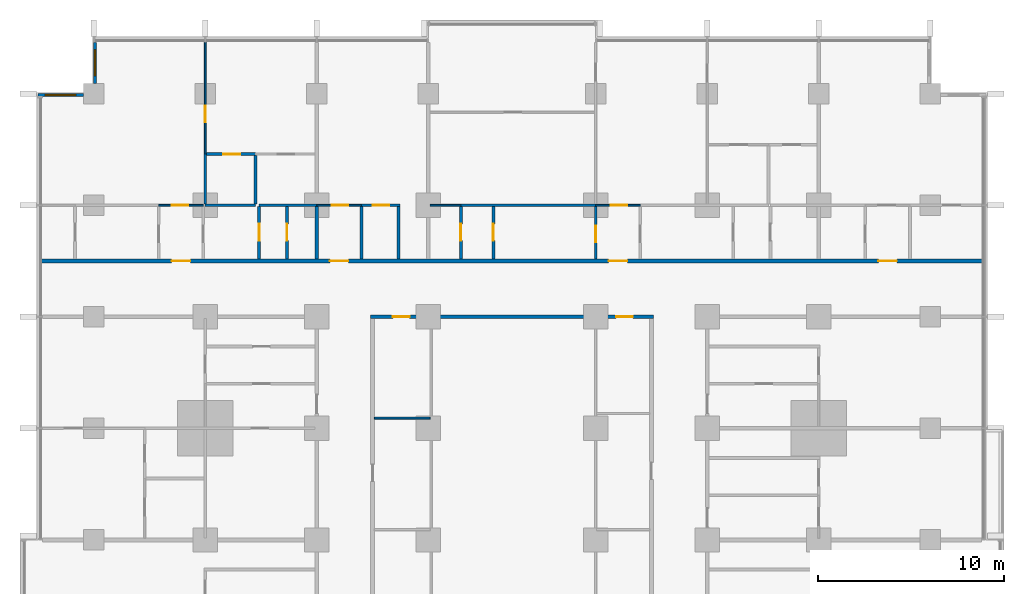
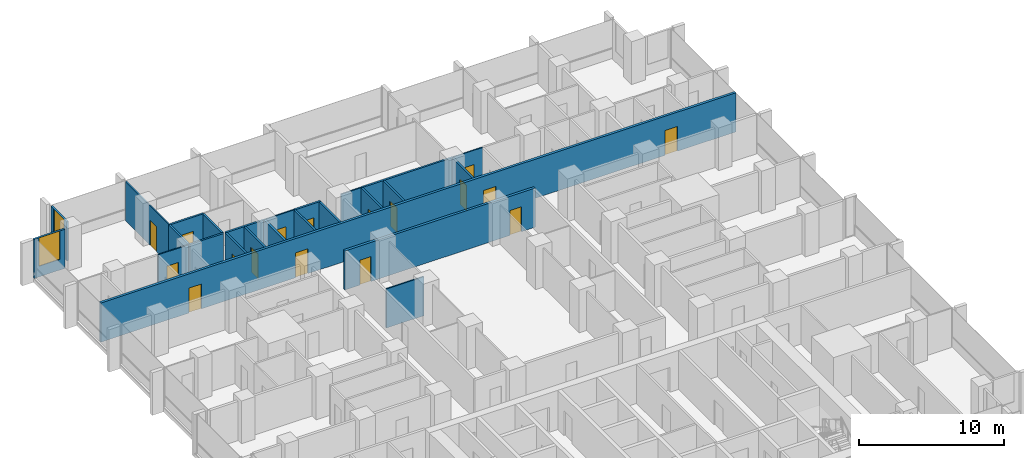
# One storey, part 11 of 18: 25 walls, 17 doors, 2 windows, 19 openings.
"""IFC4 building model written with IfcOpenShell, lengths in metres."""

from ifc_helpers import new_model, si_unit, direction, frame, frame_2d, origin, place, context, subcontext, project, spatial, rectangle, extrude, material, layer, layer_set, type_object, element, fill, save


model = new_model("IFC4")

# Units and contexts
model_context = context("Model", 3, precision=1e-05, world=origin(), true_north=direction((0.0, 1.0)))
body_context = subcontext(model_context, "Body", "Model", "MODEL_VIEW")
ifc_project = project(units=[si_unit("LENGTHUNIT", "METRE"), si_unit("AREAUNIT", "SQUARE_METRE"), si_unit("VOLUMEUNIT", "CUBIC_METRE"), si_unit("PLANEANGLEUNIT", "RADIAN"), si_unit("MASSUNIT", "GRAM", prefix="KILO")], contexts=[model_context])

# Site, building, storey
site_placement = place(None, origin())
site = spatial("IfcSite", under=ifc_project, at=site_placement, CompositionType="ELEMENT")
building_placement = place(site_placement, origin())
building = spatial("IfcBuilding", under=site, at=building_placement, Name="Finial Court Residences", CompositionType="ELEMENT")
storey_placement = place(building_placement, frame((0.0, 0.0, 43.300048828125)))
storey = spatial("IfcBuildingStorey", under=building, at=storey_placement, Name="L09", CompositionType="ELEMENT", Elevation=43.300048828125)

# Wall
ifc_material_1 = material(Name="Gypsum board")
ifc_layer_1 = layer(ifc_material_1, 0.02490234375)
ifc_material_2 = material(Name="Acoustic mineral wool in double frame")
ifc_layer_2 = layer(ifc_material_2, 0.14990234375)
ifc_layer_3 = layer(ifc_material_1, 0.02490234375)
ifc_layer_set_1 = layer_set([ifc_layer_1, ifc_layer_2, ifc_layer_3], Name="Acoustic party wall 200, 1 hour")
wall_type_1 = type_object("IfcWallType", Name="Acoustic party wall 200, 1 hour", PredefinedType="PARTITIONING", material=ifc_layer_set_1)
wall_1_placement = place(storey_placement, frame((-10.5, 16.60009765625, 0.0), z_axis=(0.0, 0.0, 1.0), x_axis=(0.0, 1.0, 0.0)))
element("IfcWall", 1, at=wall_1_placement, inside=storey, type_object=wall_type_1, Name="Partition L09-077", PredefinedType="PARTITIONING", context=body_context, shape_type="SweptSolid", body=[
    extrude(rectangle(XDim=2.824951171875, YDim=0.199951171875, at=frame_2d((1.41259765625, 0.0))), origin(), (0.0, 0.0, 1.0), 3.300048828125),
])

# Wall, openings, doors
ifc_layer_4 = layer(ifc_material_1, 0.02490234375)
ifc_layer_5 = layer(ifc_material_2, 0.14990234375)
ifc_layer_6 = layer(ifc_material_1, 0.02490234375)
ifc_layer_set_2 = layer_set([ifc_layer_4, ifc_layer_5, ifc_layer_6], Name="Corridor wall 200, 1 hour")
wall_type_2 = type_object("IfcWallType", Name="Corridor wall 200, 1 hour", PredefinedType="PARTITIONING", material=ifc_layer_set_2)
wall_2_placement = place(storey_placement, frame((-7.60009765625, 13.5, 0.0), z_axis=(0.0, 0.0, 1.0), x_axis=(1.0, 0.0, 0.0)))
wall_2 = element("IfcWall", 2, at=wall_2_placement, inside=storey, type_object=wall_type_2, Name="Partition L09-033", PredefinedType="PARTITIONING", context=body_context, shape_type="SweptSolid", body=[
    extrude(rectangle(XDim=15.2001953125, YDim=0.199951171875, at=frame_2d((7.60009765625, 0.0))), origin(), (0.0, 0.0, 1.0), 3.300048828125),
])
opening_1_placement = place(wall_2_placement, frame((1.199951171875, 0.0, 0.0)))
opening_1 = element("IfcOpeningElement", 3, at=opening_1_placement, cuts=wall_2, Name="Opening L09-D017", PredefinedType="OPENING", context=body_context, shape_type="SweptSolid", body=[
    extrude(rectangle(XDim=0.89990234375, YDim=2.10009765625, at=frame_2d((0.449951171875, 1.050048828125))), frame((0.0, 0.10986328125, 0.0), z_axis=(0.0, -1.0, 0.0), x_axis=(1.0, 0.0, 0.0)), (0.0, 0.0, 1.0), 0.219970703125),
])
opening_2_placement = place(wall_2_placement, frame((13.199951171875, 0.0, 0.0)))
opening_2 = element("IfcOpeningElement", 4, at=opening_2_placement, cuts=wall_2, Name="Opening L09-D018", PredefinedType="OPENING", context=body_context, shape_type="SweptSolid", body=[
    extrude(rectangle(XDim=0.89990234375, YDim=2.10009765625, at=frame_2d((0.449951171875, 1.050048828125))), frame((0.0, 0.10986328125, 0.0), z_axis=(0.0, -1.0, 0.0), x_axis=(1.0, 0.0, 0.0)), (0.0, 0.0, 1.0), 0.219970703125),
])
ifc_material_3 = material(Name="Timber door leaf in hollow metal frame", Category="wood")
door_type_1 = type_object("IfcDoorType", Name="Fire door set 900 x 2100, 30 minutes", OperationType="SINGLE_SWING_LEFT", PredefinedType="DOOR", material=ifc_material_3)
door_1_placement = place(opening_1_placement, origin())
door_1 = element("IfcDoor", 5, at=door_1_placement, inside=storey, type_object=door_type_1, Name="Door L09-D017", OperationType="SINGLE_SWING_LEFT", OverallHeight=2.10009765625, OverallWidth=0.89990234375, PredefinedType="DOOR", context=body_context, shape_type="SweptSolid", body=[
    extrude(rectangle(XDim=0.89990234375, YDim=2.10009765625, at=frame_2d((0.449951171875, 1.050048828125))), frame((0.0, 0.02490234375, 0.0), z_axis=(0.0, -1.0, 0.0), x_axis=(1.0, 0.0, 0.0)), (0.0, 0.0, 1.0), 0.050048828125),
])
fill(opening_1, door_1)
door_2_placement = place(opening_2_placement, origin())
door_2 = element("IfcDoor", 6, at=door_2_placement, inside=storey, type_object=door_type_1, Name="Door L09-D018", OperationType="SINGLE_SWING_RIGHT", OverallHeight=2.10009765625, OverallWidth=0.89990234375, PredefinedType="DOOR", context=body_context, shape_type="SweptSolid", body=[
    extrude(rectangle(XDim=0.89990234375, YDim=2.10009765625, at=frame_2d((0.449951171875, 1.050048828125))), frame((0.0, 0.02490234375, 0.0), z_axis=(0.0, -1.0, 0.0), x_axis=(1.0, 0.0, 0.0)), (0.0, 0.0, 1.0), 0.050048828125),
])
fill(opening_2, door_2)

wall_3_placement = place(storey_placement, frame((-25.35009765625, 16.5, 0.0), z_axis=(0.0, 0.0, 1.0), x_axis=(1.0, 0.0, 0.0)))
wall_3 = element("IfcWall", 7, at=wall_3_placement, inside=storey, type_object=wall_type_2, Name="Partition L09-035", PredefinedType="PARTITIONING", context=body_context, shape_type="SweptSolid", body=[
    extrude(rectangle(XDim=50.7001953125, YDim=0.199951171875, at=frame_2d((25.35009765625, 0.0))), origin(), (0.0, 0.0, 1.0), 3.300048828125),
])
opening_3_placement = place(wall_3_placement, frame((7.050048828125, 0.0, 0.0)))
opening_3 = element("IfcOpeningElement", 8, at=opening_3_placement, cuts=wall_3, Name="Opening L09-D019", PredefinedType="OPENING", context=body_context, shape_type="SweptSolid", body=[
    extrude(rectangle(XDim=1.0, YDim=2.10009765625, at=frame_2d((0.5, 1.050048828125))), frame((0.0, 0.10986328125, 0.0), z_axis=(0.0, -1.0, 0.0), x_axis=(1.0, 0.0, 0.0)), (0.0, 0.0, 1.0), 0.219970703125),
])
opening_4_placement = place(wall_3_placement, frame((15.550048828125, 0.0, 0.0)))
opening_4 = element("IfcOpeningElement", 9, at=opening_4_placement, cuts=wall_3, Name="Opening L09-D020", PredefinedType="OPENING", context=body_context, shape_type="SweptSolid", body=[
    extrude(rectangle(XDim=1.0, YDim=2.10009765625, at=frame_2d((0.5, 1.050048828125))), frame((0.0, 0.10986328125, 0.0), z_axis=(0.0, -1.0, 0.0), x_axis=(1.0, 0.0, 0.0)), (0.0, 0.0, 1.0), 0.219970703125),
])
opening_5_placement = place(wall_3_placement, frame((30.550048828125, 0.0, 0.0)))
opening_5 = element("IfcOpeningElement", 10, at=opening_5_placement, cuts=wall_3, Name="Opening L09-D021", PredefinedType="OPENING", context=body_context, shape_type="SweptSolid", body=[
    extrude(rectangle(XDim=1.0, YDim=2.10009765625, at=frame_2d((0.5, 1.050048828125))), frame((0.0, 0.10986328125, 0.0), z_axis=(0.0, -1.0, 0.0), x_axis=(1.0, 0.0, 0.0)), (0.0, 0.0, 1.0), 0.219970703125),
])
opening_6_placement = place(wall_3_placement, frame((45.050048828125, 0.0, 0.0)))
opening_6 = element("IfcOpeningElement", 11, at=opening_6_placement, cuts=wall_3, Name="Opening L09-D022", PredefinedType="OPENING", context=body_context, shape_type="SweptSolid", body=[
    extrude(rectangle(XDim=1.0, YDim=2.10009765625, at=frame_2d((0.5, 1.050048828125))), frame((0.0, 0.10986328125, 0.0), z_axis=(0.0, -1.0, 0.0), x_axis=(1.0, 0.0, 0.0)), (0.0, 0.0, 1.0), 0.219970703125),
])
door_type_2 = type_object("IfcDoorType", Name="Fire door set 1000 x 2100, 30 minutes", OperationType="SINGLE_SWING_LEFT", PredefinedType="DOOR", material=ifc_material_3)
door_3_placement = place(opening_3_placement, origin())
door_3 = element("IfcDoor", 12, at=door_3_placement, inside=storey, type_object=door_type_2, Name="Door L09-D019", OperationType="SINGLE_SWING_RIGHT", OverallHeight=2.10009765625, OverallWidth=1.0, PredefinedType="DOOR", context=body_context, shape_type="SweptSolid", body=[
    extrude(rectangle(XDim=1.0, YDim=2.10009765625, at=frame_2d((0.5, 1.050048828125))), frame((0.0, 0.02490234375, 0.0), z_axis=(0.0, -1.0, 0.0), x_axis=(1.0, 0.0, 0.0)), (0.0, 0.0, 1.0), 0.050048828125),
])
fill(opening_3, door_3)
door_4_placement = place(opening_4_placement, origin())
door_4 = element("IfcDoor", 13, at=door_4_placement, inside=storey, type_object=door_type_2, Name="Door L09-D020", OperationType="SINGLE_SWING_RIGHT", OverallHeight=2.10009765625, OverallWidth=1.0, PredefinedType="DOOR", context=body_context, shape_type="SweptSolid", body=[
    extrude(rectangle(XDim=1.0, YDim=2.10009765625, at=frame_2d((0.5, 1.050048828125))), frame((0.0, 0.02490234375, 0.0), z_axis=(0.0, -1.0, 0.0), x_axis=(1.0, 0.0, 0.0)), (0.0, 0.0, 1.0), 0.050048828125),
])
fill(opening_4, door_4)
door_5_placement = place(opening_5_placement, origin())
door_5 = element("IfcDoor", 14, at=door_5_placement, inside=storey, type_object=door_type_2, Name="Door L09-D021", OperationType="SINGLE_SWING_LEFT", OverallHeight=2.10009765625, OverallWidth=1.0, PredefinedType="DOOR", context=body_context, shape_type="SweptSolid", body=[
    extrude(rectangle(XDim=1.0, YDim=2.10009765625, at=frame_2d((0.5, 1.050048828125))), frame((0.0, 0.02490234375, 0.0), z_axis=(0.0, -1.0, 0.0), x_axis=(1.0, 0.0, 0.0)), (0.0, 0.0, 1.0), 0.050048828125),
])
fill(opening_5, door_5)
door_6_placement = place(opening_6_placement, origin())
door_6 = element("IfcDoor", 15, at=door_6_placement, inside=storey, type_object=door_type_2, Name="Door L09-D022", OperationType="SINGLE_SWING_LEFT", OverallHeight=2.10009765625, OverallWidth=1.0, PredefinedType="DOOR", context=body_context, shape_type="SweptSolid", body=[
    extrude(rectangle(XDim=1.0, YDim=2.10009765625, at=frame_2d((0.5, 1.050048828125))), frame((0.0, 0.02490234375, 0.0), z_axis=(0.0, -1.0, 0.0), x_axis=(1.0, 0.0, 0.0)), (0.0, 0.0, 1.0), 0.050048828125),
])
fill(opening_6, door_6)

# Wall
ifc_layer_7 = layer(ifc_material_1, 0.012451171875)
ifc_material_4 = material(Name="Mineral wool in light-gauge frame")
ifc_layer_8 = layer(ifc_material_4, 0.074951171875)
ifc_layer_9 = layer(ifc_material_1, 0.012451171875)
ifc_layer_set_3 = layer_set([ifc_layer_7, ifc_layer_8, ifc_layer_9], Name="Gypsum board partition 100")
wall_type_3 = type_object("IfcWallType", Name="Gypsum board partition 100", PredefinedType="PARTITIONING", material=ifc_layer_set_3)
wall_4_placement = place(storey_placement, frame((-7.39990234375, 8.050048828125, 0.0), z_axis=(0.0, 0.0, 1.0), x_axis=(1.0, 0.0, 0.0)))
element("IfcWall", 16, at=wall_4_placement, inside=storey, type_object=wall_type_3, Name="Partition L09-026", PredefinedType="PARTITIONING", context=body_context, shape_type="SweptSolid", body=[
    extrude(rectangle(XDim=3.0, YDim=0.10009765625, at=frame_2d((1.5, 0.0))), origin(), (0.0, 0.0, 1.0), 3.300048828125),
])

# Wall, opening, door
wall_5_placement = place(storey_placement, frame((-19.0, 19.5, 0.0), z_axis=(0.0, 0.0, 1.0), x_axis=(1.0, 0.0, 0.0)))
wall_5 = element("IfcWall", 17, at=wall_5_placement, inside=storey, type_object=wall_type_3, Name="Partition L09-037", PredefinedType="PARTITIONING", context=body_context, shape_type="SweptSolid", body=[
    extrude(rectangle(XDim=2.39990234375, YDim=0.10009765625, at=frame_2d((1.199951171875, 0.0))), origin(), (0.0, 0.0, 1.0), 3.300048828125),
])
opening_7_placement = place(wall_5_placement, frame((0.699951171875, 0.0, 0.0)))
opening_7 = element("IfcOpeningElement", 18, at=opening_7_placement, cuts=wall_5, Name="Opening L09-D023", PredefinedType="OPENING", context=body_context, shape_type="SweptSolid", body=[
    extrude(rectangle(XDim=0.89990234375, YDim=2.10009765625, at=frame_2d((0.449951171875, 1.050048828125))), frame((0.0, 0.06005859375, 0.0), z_axis=(0.0, -1.0, 0.0), x_axis=(1.0, 0.0, 0.0)), (0.0, 0.0, 1.0), 0.1201171875),
])
ifc_material_5 = material(Name="Timber door leaf in timber frame", Category="wood")
door_type_3 = type_object("IfcDoorType", Name="Door set 900 x 2100", OperationType="SINGLE_SWING_LEFT", PredefinedType="DOOR", material=ifc_material_5)
door_7_placement = place(opening_7_placement, origin())
door_7 = element("IfcDoor", 19, at=door_7_placement, inside=storey, type_object=door_type_3, Name="Door L09-D023", OperationType="SINGLE_SWING_LEFT", OverallHeight=2.10009765625, OverallWidth=0.89990234375, PredefinedType="DOOR", context=body_context, shape_type="SweptSolid", body=[
    extrude(rectangle(XDim=0.89990234375, YDim=2.10009765625, at=frame_2d((0.449951171875, 1.050048828125))), frame((0.0, 0.02490234375, 0.0), z_axis=(0.0, -1.0, 0.0), x_axis=(1.0, 0.0, 0.0)), (0.0, 0.0, 1.0), 0.050048828125),
])
fill(opening_7, door_7)

wall_6_placement = place(storey_placement, frame((-10.5, 19.5, 0.0), z_axis=(0.0, 0.0, 1.0), x_axis=(1.0, 0.0, 0.0)))
wall_6 = element("IfcWall", 20, at=wall_6_placement, inside=storey, type_object=wall_type_3, Name="Partition L09-038", PredefinedType="PARTITIONING", context=body_context, shape_type="SweptSolid", body=[
    extrude(rectangle(XDim=2.39990234375, YDim=0.10009765625, at=frame_2d((1.199951171875, 0.0))), origin(), (0.0, 0.0, 1.0), 3.300048828125),
])
opening_8_placement = place(wall_6_placement, frame((0.800048828125, 0.0, 0.0)))
opening_8 = element("IfcOpeningElement", 21, at=opening_8_placement, cuts=wall_6, Name="Opening L09-D024", PredefinedType="OPENING", context=body_context, shape_type="SweptSolid", body=[
    extrude(rectangle(XDim=0.89990234375, YDim=2.10009765625, at=frame_2d((0.449951171875, 1.050048828125))), frame((0.0, 0.06005859375, 0.0), z_axis=(0.0, -1.0, 0.0), x_axis=(1.0, 0.0, 0.0)), (0.0, 0.0, 1.0), 0.1201171875),
])
door_8_placement = place(opening_8_placement, origin())
door_8 = element("IfcDoor", 22, at=door_8_placement, inside=storey, type_object=door_type_3, Name="Door L09-D024", OperationType="SINGLE_SWING_RIGHT", OverallHeight=2.10009765625, OverallWidth=0.89990234375, PredefinedType="DOOR", context=body_context, shape_type="SweptSolid", body=[
    extrude(rectangle(XDim=0.89990234375, YDim=2.10009765625, at=frame_2d((0.449951171875, 1.050048828125))), frame((0.0, 0.02490234375, 0.0), z_axis=(0.0, -1.0, 0.0), x_axis=(1.0, 0.0, 0.0)), (0.0, 0.0, 1.0), 0.050048828125),
])
fill(opening_8, door_8)

# Wall
wall_7_placement = place(storey_placement, frame((-4.39990234375, 19.5, 0.0), z_axis=(0.0, 0.0, 1.0), x_axis=(1.0, 0.0, 0.0)))
element("IfcWall", 23, at=wall_7_placement, inside=storey, type_object=wall_type_3, Name="Partition L09-039", PredefinedType="PARTITIONING", context=body_context, shape_type="SweptSolid", body=[
    extrude(rectangle(XDim=1.64990234375, YDim=0.10009765625, at=frame_2d((0.824951171875, 0.0))), origin(), (0.0, 0.0, 1.0), 3.300048828125),
])

# Wall, opening, door
wall_8_placement = place(storey_placement, frame((4.5, 19.5, 0.0), z_axis=(0.0, 0.0, 1.0), x_axis=(1.0, 0.0, 0.0)))
wall_8 = element("IfcWall", 24, at=wall_8_placement, inside=storey, type_object=wall_type_3, Name="Partition L09-040", PredefinedType="PARTITIONING", context=body_context, shape_type="SweptSolid", body=[
    extrude(rectangle(XDim=2.39990234375, YDim=0.10009765625, at=frame_2d((1.199951171875, 0.0))), origin(), (0.0, 0.0, 1.0), 3.300048828125),
])
opening_9_placement = place(wall_8_placement, frame((0.800048828125, 0.0, 0.0)))
opening_9 = element("IfcOpeningElement", 25, at=opening_9_placement, cuts=wall_8, Name="Opening L09-D025", PredefinedType="OPENING", context=body_context, shape_type="SweptSolid", body=[
    extrude(rectangle(XDim=0.89990234375, YDim=2.10009765625, at=frame_2d((0.449951171875, 1.050048828125))), frame((0.0, 0.06005859375, 0.0), z_axis=(0.0, -1.0, 0.0), x_axis=(1.0, 0.0, 0.0)), (0.0, 0.0, 1.0), 0.1201171875),
])
door_9_placement = place(opening_9_placement, origin())
door_9 = element("IfcDoor", 26, at=door_9_placement, inside=storey, type_object=door_type_3, Name="Door L09-D025", OperationType="SINGLE_SWING_RIGHT", OverallHeight=2.10009765625, OverallWidth=0.89990234375, PredefinedType="DOOR", context=body_context, shape_type="SweptSolid", body=[
    extrude(rectangle(XDim=0.89990234375, YDim=2.10009765625, at=frame_2d((0.449951171875, 1.050048828125))), frame((0.0, 0.02490234375, 0.0), z_axis=(0.0, -1.0, 0.0), x_axis=(1.0, 0.0, 0.0)), (0.0, 0.0, 1.0), 0.050048828125),
])
fill(opening_9, door_9)

wall_9_placement = place(storey_placement, frame((-16.5, 22.25, 0.0), z_axis=(0.0, 0.0, 1.0), x_axis=(0.0, 1.0, 0.0)))
wall_9 = element("IfcWall", 27, at=wall_9_placement, inside=storey, type_object=wall_type_3, Name="Partition L09-066", PredefinedType="PARTITIONING", context=body_context, shape_type="SweptSolid", body=[
    extrude(rectangle(XDim=6.0, YDim=0.10009765625, at=frame_2d((3.0, 0.0))), origin(), (0.0, 0.0, 1.0), 3.300048828125),
])
opening_10_placement = place(wall_9_placement, frame((1.699951171875, 0.0, 0.0)))
opening_10 = element("IfcOpeningElement", 28, at=opening_10_placement, cuts=wall_9, Name="Opening L09-D043", PredefinedType="OPENING", context=body_context, shape_type="SweptSolid", body=[
    extrude(rectangle(XDim=0.89990234375, YDim=2.10009765625, at=frame_2d((0.449951171875, 1.050048828125))), frame((0.0, 0.06005859375, 0.0), z_axis=(0.0, -1.0, 0.0), x_axis=(1.0, 0.0, 0.0)), (0.0, 0.0, 1.0), 0.1201171875),
])
door_10_placement = place(opening_10_placement, origin())
door_10 = element("IfcDoor", 29, at=door_10_placement, inside=storey, type_object=door_type_3, Name="Door L09-D043", OperationType="SINGLE_SWING_LEFT", OverallHeight=2.10009765625, OverallWidth=0.89990234375, PredefinedType="DOOR", context=body_context, shape_type="SweptSolid", body=[
    extrude(rectangle(XDim=0.89990234375, YDim=2.10009765625, at=frame_2d((0.449951171875, 1.050048828125))), frame((0.0, 0.02490234375, 0.0), z_axis=(0.0, -1.0, 0.0), x_axis=(1.0, 0.0, 0.0)), (0.0, 0.0, 1.0), 0.050048828125),
])
fill(opening_10, door_10)

# Walls
ifc_material_6 = material(Name="Moisture-resistant gypsum board")
ifc_layer_10 = layer(ifc_material_6, 0.012451171875)
ifc_layer_11 = layer(ifc_material_4, 0.125)
ifc_layer_12 = layer(ifc_material_6, 0.012451171875)
ifc_layer_set_4 = layer_set([ifc_layer_10, ifc_layer_11, ifc_layer_12], Name="Gypsum board wet-area partition 150")
wall_type_4 = type_object("IfcWallType", Name="Gypsum board wet-area partition 150", PredefinedType="PARTITIONING", material=ifc_layer_set_4)
wall_10_placement = place(storey_placement, frame((-16.5, 19.5, 0.0), z_axis=(0.0, 0.0, 1.0), x_axis=(1.0, 0.0, 0.0)))
element("IfcWall", 30, at=wall_10_placement, inside=storey, type_object=wall_type_4, Name="Partition L09-043", PredefinedType="PARTITIONING", context=body_context, shape_type="SweptSolid", body=[
    extrude(rectangle(XDim=2.699951171875, YDim=0.14990234375, at=frame_2d((1.35009765625, 0.0))), origin(), (0.0, 0.0, 1.0), 3.300048828125),
])
wall_11_placement = place(storey_placement, frame((-13.60009765625, 19.5, 0.0), z_axis=(0.0, 0.0, 1.0), x_axis=(1.0, 0.0, 0.0)))
element("IfcWall", 31, at=wall_11_placement, inside=storey, type_object=wall_type_4, Name="Partition L09-044", PredefinedType="PARTITIONING", context=body_context, shape_type="SweptSolid", body=[
    extrude(rectangle(XDim=3.10009765625, YDim=0.14990234375, at=frame_2d((1.550048828125, 0.0))), origin(), (0.0, 0.0, 1.0), 3.300048828125),
])

# Wall, opening, door
wall_12_placement = place(storey_placement, frame((-8.10009765625, 19.5, 0.0), z_axis=(0.0, 0.0, 1.0), x_axis=(1.0, 0.0, 0.0)))
wall_12 = element("IfcWall", 32, at=wall_12_placement, inside=storey, type_object=wall_type_4, Name="Partition L09-045", PredefinedType="PARTITIONING", context=body_context, shape_type="SweptSolid", body=[
    extrude(rectangle(XDim=2.0751953125, YDim=0.14990234375, at=frame_2d((1.03759765625, 0.0))), origin(), (0.0, 0.0, 1.0), 3.300048828125),
])
opening_11_placement = place(wall_12_placement, frame((0.60009765625, 0.0, 0.0)))
opening_11 = element("IfcOpeningElement", 33, at=opening_11_placement, cuts=wall_12, Name="Opening L09-D027", PredefinedType="OPENING", context=body_context, shape_type="SweptSolid", body=[
    extrude(rectangle(XDim=0.89990234375, YDim=2.10009765625, at=frame_2d((0.449951171875, 1.050048828125))), frame((0.0, 0.0849609375, 0.0), z_axis=(0.0, -1.0, 0.0), x_axis=(1.0, 0.0, 0.0)), (0.0, 0.0, 1.0), 0.169921875),
])
door_11_placement = place(opening_11_placement, origin())
door_11 = element("IfcDoor", 34, at=door_11_placement, inside=storey, type_object=door_type_3, Name="Door L09-D027", OperationType="SINGLE_SWING_RIGHT", OverallHeight=2.10009765625, OverallWidth=0.89990234375, PredefinedType="DOOR", context=body_context, shape_type="SweptSolid", body=[
    extrude(rectangle(XDim=0.89990234375, YDim=2.10009765625, at=frame_2d((0.449951171875, 1.050048828125))), frame((0.0, 0.02490234375, 0.0), z_axis=(0.0, -1.0, 0.0), x_axis=(1.0, 0.0, 0.0)), (0.0, 0.0, 1.0), 0.050048828125),
])
fill(opening_11, door_11)

# Wall
wall_13_placement = place(storey_placement, frame((-2.75, 19.5, 0.0), z_axis=(0.0, 0.0, 1.0), x_axis=(1.0, 0.0, 0.0)))
element("IfcWall", 35, at=wall_13_placement, inside=storey, type_object=wall_type_4, Name="Partition L09-046", PredefinedType="PARTITIONING", context=body_context, shape_type="SweptSolid", body=[
    extrude(rectangle(XDim=7.25, YDim=0.14990234375, at=frame_2d((3.625, 0.0))), origin(), (0.0, 0.0, 1.0), 3.300048828125),
])

# Wall, opening, door
wall_14_placement = place(storey_placement, frame((-16.425048828125, 22.25, 0.0), z_axis=(0.0, 0.0, 1.0), x_axis=(1.0, 0.0, 0.0)))
wall_14 = element("IfcWall", 36, at=wall_14_placement, inside=storey, type_object=wall_type_4, Name="Partition L09-051", PredefinedType="PARTITIONING", context=body_context, shape_type="SweptSolid", body=[
    extrude(rectangle(XDim=2.625, YDim=0.14990234375, at=frame_2d((1.3125, 0.0))), origin(), (0.0, 0.0, 1.0), 3.300048828125),
])
opening_12_placement = place(wall_14_placement, frame((0.89990234375, 0.0, 0.0)))
opening_12 = element("IfcOpeningElement", 37, at=opening_12_placement, cuts=wall_14, Name="Opening L09-D030", PredefinedType="OPENING", context=body_context, shape_type="SweptSolid", body=[
    extrude(rectangle(XDim=0.89990234375, YDim=2.10009765625, at=frame_2d((0.449951171875, 1.050048828125))), frame((0.0, 0.0849609375, 0.0), z_axis=(0.0, -1.0, 0.0), x_axis=(1.0, 0.0, 0.0)), (0.0, 0.0, 1.0), 0.169921875),
])
door_12_placement = place(opening_12_placement, origin())
door_12 = element("IfcDoor", 38, at=door_12_placement, inside=storey, type_object=door_type_3, Name="Door L09-D030", OperationType="SINGLE_SWING_LEFT", OverallHeight=2.10009765625, OverallWidth=0.89990234375, PredefinedType="DOOR", context=body_context, shape_type="SweptSolid", body=[
    extrude(rectangle(XDim=0.89990234375, YDim=2.10009765625, at=frame_2d((0.449951171875, 1.050048828125))), frame((0.0, 0.02490234375, 0.0), z_axis=(0.0, -1.0, 0.0), x_axis=(1.0, 0.0, 0.0)), (0.0, 0.0, 1.0), 0.050048828125),
])
fill(opening_12, door_12)

# Walls
wall_15_placement = place(storey_placement, frame((-16.5, 19.574951171875, 0.0), z_axis=(0.0, 0.0, 1.0), x_axis=(0.0, 1.0, 0.0)))
element("IfcWall", 39, at=wall_15_placement, inside=storey, type_object=wall_type_4, Name="Partition L09-072", PredefinedType="PARTITIONING", context=body_context, shape_type="SweptSolid", body=[
    extrude(rectangle(XDim=2.675048828125, YDim=0.14990234375, at=frame_2d((1.33740234375, 0.0))), origin(), (0.0, 0.0, 1.0), 3.300048828125),
])
wall_16_placement = place(storey_placement, frame((-13.800048828125, 19.574951171875, 0.0), z_axis=(0.0, 0.0, 1.0), x_axis=(0.0, 1.0, 0.0)))
element("IfcWall", 40, at=wall_16_placement, inside=storey, type_object=wall_type_4, Name="Partition L09-073", PredefinedType="PARTITIONING", context=body_context, shape_type="SweptSolid", body=[
    extrude(rectangle(XDim=2.60009765625, YDim=0.14990234375, at=frame_2d((1.300048828125, 0.0))), origin(), (0.0, 0.0, 1.0), 3.300048828125),
])

# Wall, opening, door
wall_17_placement = place(storey_placement, frame((-13.60009765625, 16.60009765625, 0.0), z_axis=(0.0, 0.0, 1.0), x_axis=(0.0, 1.0, 0.0)))
wall_17 = element("IfcWall", 41, at=wall_17_placement, inside=storey, type_object=wall_type_4, Name="Partition L09-074", PredefinedType="PARTITIONING", context=body_context, shape_type="SweptSolid", body=[
    extrude(rectangle(XDim=2.824951171875, YDim=0.14990234375, at=frame_2d((1.41259765625, 0.0))), origin(), (0.0, 0.0, 1.0), 3.300048828125),
])
opening_13_placement = place(wall_17_placement, frame((1.0, 0.0, 0.0)))
opening_13 = element("IfcOpeningElement", 42, at=opening_13_placement, cuts=wall_17, Name="Opening L09-D047", PredefinedType="OPENING", context=body_context, shape_type="SweptSolid", body=[
    extrude(rectangle(XDim=0.89990234375, YDim=2.10009765625, at=frame_2d((0.449951171875, 1.050048828125))), frame((0.0, 0.0849609375, 0.0), z_axis=(0.0, -1.0, 0.0), x_axis=(1.0, 0.0, 0.0)), (0.0, 0.0, 1.0), 0.169921875),
])
door_13_placement = place(opening_13_placement, origin())
door_13 = element("IfcDoor", 43, at=door_13_placement, inside=storey, type_object=door_type_3, Name="Door L09-D047", OperationType="SINGLE_SWING_RIGHT", OverallHeight=2.10009765625, OverallWidth=0.89990234375, PredefinedType="DOOR", context=body_context, shape_type="SweptSolid", body=[
    extrude(rectangle(XDim=0.89990234375, YDim=2.10009765625, at=frame_2d((0.449951171875, 1.050048828125))), frame((0.0, 0.02490234375, 0.0), z_axis=(0.0, -1.0, 0.0), x_axis=(1.0, 0.0, 0.0)), (0.0, 0.0, 1.0), 0.050048828125),
])
fill(opening_13, door_13)

wall_18_placement = place(storey_placement, frame((-12.10009765625, 16.60009765625, 0.0), z_axis=(0.0, 0.0, 1.0), x_axis=(0.0, 1.0, 0.0)))
wall_18 = element("IfcWall", 44, at=wall_18_placement, inside=storey, type_object=wall_type_4, Name="Partition L09-075", PredefinedType="PARTITIONING", context=body_context, shape_type="SweptSolid", body=[
    extrude(rectangle(XDim=2.824951171875, YDim=0.14990234375, at=frame_2d((1.41259765625, 0.0))), origin(), (0.0, 0.0, 1.0), 3.300048828125),
])
opening_14_placement = place(wall_18_placement, frame((1.0, 0.0, 0.0)))
opening_14 = element("IfcOpeningElement", 45, at=opening_14_placement, cuts=wall_18, Name="Opening L09-D048", PredefinedType="OPENING", context=body_context, shape_type="SweptSolid", body=[
    extrude(rectangle(XDim=0.89990234375, YDim=2.10009765625, at=frame_2d((0.449951171875, 1.050048828125))), frame((0.0, 0.0849609375, 0.0), z_axis=(0.0, -1.0, 0.0), x_axis=(1.0, 0.0, 0.0)), (0.0, 0.0, 1.0), 0.169921875),
])
door_14_placement = place(opening_14_placement, origin())
door_14 = element("IfcDoor", 46, at=door_14_placement, inside=storey, type_object=door_type_3, Name="Door L09-D048", OperationType="SINGLE_SWING_RIGHT", OverallHeight=2.10009765625, OverallWidth=0.89990234375, PredefinedType="DOOR", context=body_context, shape_type="SweptSolid", body=[
    extrude(rectangle(XDim=0.89990234375, YDim=2.10009765625, at=frame_2d((0.449951171875, 1.050048828125))), frame((0.0, 0.02490234375, 0.0), z_axis=(0.0, -1.0, 0.0), x_axis=(1.0, 0.0, 0.0)), (0.0, 0.0, 1.0), 0.050048828125),
])
fill(opening_14, door_14)

# Walls
for number, where, z_axis, x_axis, name in (
    (47, (-8.10009765625, 16.60009765625, 0.0), (0.0, 0.0, 1.0), (0.0, 1.0, 0.0), "Partition L09-079"),
    (48, (-6.10009765625, 16.60009765625, 0.0), (0.0, 0.0, 1.0), (0.0, 1.0, 0.0), "Partition L09-081"),
):
    element("IfcWall", number, at=place(storey_placement, frame(where, z_axis=z_axis, x_axis=x_axis)), inside=storey, type_object=wall_type_4, Name=name, PredefinedType="PARTITIONING", context=body_context, shape_type="SweptSolid", body=[
        extrude(rectangle(XDim=2.824951171875, YDim=0.14990234375, at=frame_2d((1.41259765625, 0.0))), origin(), (0.0, 0.0, 1.0), 3.300048828125),
    ])

# Wall, opening, door
wall_19_placement = place(storey_placement, frame((-2.75, 16.60009765625, 0.0), z_axis=(0.0, 0.0, 1.0), x_axis=(0.0, 1.0, 0.0)))
wall_19 = element("IfcWall", 49, at=wall_19_placement, inside=storey, type_object=wall_type_4, Name="Partition L09-084", PredefinedType="PARTITIONING", context=body_context, shape_type="SweptSolid", body=[
    extrude(rectangle(XDim=2.824951171875, YDim=0.14990234375, at=frame_2d((1.41259765625, 0.0))), origin(), (0.0, 0.0, 1.0), 3.300048828125),
])
opening_15_placement = place(wall_19_placement, frame((1.0, 0.0, 0.0)))
opening_15 = element("IfcOpeningElement", 50, at=opening_15_placement, cuts=wall_19, Name="Opening L09-D051", PredefinedType="OPENING", context=body_context, shape_type="SweptSolid", body=[
    extrude(rectangle(XDim=0.89990234375, YDim=2.10009765625, at=frame_2d((0.449951171875, 1.050048828125))), frame((0.0, 0.0849609375, 0.0), z_axis=(0.0, -1.0, 0.0), x_axis=(1.0, 0.0, 0.0)), (0.0, 0.0, 1.0), 0.169921875),
])
door_15_placement = place(opening_15_placement, origin())
door_15 = element("IfcDoor", 51, at=door_15_placement, inside=storey, type_object=door_type_3, Name="Door L09-D051", OperationType="SINGLE_SWING_RIGHT", OverallHeight=2.10009765625, OverallWidth=0.89990234375, PredefinedType="DOOR", context=body_context, shape_type="SweptSolid", body=[
    extrude(rectangle(XDim=0.89990234375, YDim=2.10009765625, at=frame_2d((0.449951171875, 1.050048828125))), frame((0.0, 0.02490234375, 0.0), z_axis=(0.0, -1.0, 0.0), x_axis=(1.0, 0.0, 0.0)), (0.0, 0.0, 1.0), 0.050048828125),
])
fill(opening_15, door_15)

wall_20_placement = place(storey_placement, frame((-1.0, 16.60009765625, 0.0), z_axis=(0.0, 0.0, 1.0), x_axis=(0.0, 1.0, 0.0)))
wall_20 = element("IfcWall", 52, at=wall_20_placement, inside=storey, type_object=wall_type_4, Name="Partition L09-085", PredefinedType="PARTITIONING", context=body_context, shape_type="SweptSolid", body=[
    extrude(rectangle(XDim=2.824951171875, YDim=0.14990234375, at=frame_2d((1.41259765625, 0.0))), origin(), (0.0, 0.0, 1.0), 3.300048828125),
])
opening_16_placement = place(wall_20_placement, frame((1.0, 0.0, 0.0)))
opening_16 = element("IfcOpeningElement", 53, at=opening_16_placement, cuts=wall_20, Name="Opening L09-D052", PredefinedType="OPENING", context=body_context, shape_type="SweptSolid", body=[
    extrude(rectangle(XDim=0.89990234375, YDim=2.10009765625, at=frame_2d((0.449951171875, 1.050048828125))), frame((0.0, 0.0849609375, 0.0), z_axis=(0.0, -1.0, 0.0), x_axis=(1.0, 0.0, 0.0)), (0.0, 0.0, 1.0), 0.169921875),
])
door_16_placement = place(opening_16_placement, origin())
door_16 = element("IfcDoor", 54, at=door_16_placement, inside=storey, type_object=door_type_3, Name="Door L09-D052", OperationType="SINGLE_SWING_LEFT", OverallHeight=2.10009765625, OverallWidth=0.89990234375, PredefinedType="DOOR", context=body_context, shape_type="SweptSolid", body=[
    extrude(rectangle(XDim=0.89990234375, YDim=2.10009765625, at=frame_2d((0.449951171875, 1.050048828125))), frame((0.0, 0.02490234375, 0.0), z_axis=(0.0, -1.0, 0.0), x_axis=(1.0, 0.0, 0.0)), (0.0, 0.0, 1.0), 0.050048828125),
])
fill(opening_16, door_16)

wall_21_placement = place(storey_placement, frame((4.5, 16.60009765625, 0.0), z_axis=(0.0, 0.0, 1.0), x_axis=(0.0, 1.0, 0.0)))
wall_21 = element("IfcWall", 55, at=wall_21_placement, inside=storey, type_object=wall_type_4, Name="Partition L09-088", PredefinedType="PARTITIONING", context=body_context, shape_type="SweptSolid", body=[
    extrude(rectangle(XDim=2.824951171875, YDim=0.14990234375, at=frame_2d((1.41259765625, 0.0))), origin(), (0.0, 0.0, 1.0), 3.300048828125),
])
opening_17_placement = place(wall_21_placement, frame((0.89990234375, 0.0, 0.0)))
opening_17 = element("IfcOpeningElement", 56, at=opening_17_placement, cuts=wall_21, Name="Opening L09-D054", PredefinedType="OPENING", context=body_context, shape_type="SweptSolid", body=[
    extrude(rectangle(XDim=0.89990234375, YDim=2.10009765625, at=frame_2d((0.449951171875, 1.050048828125))), frame((0.0, 0.0849609375, 0.0), z_axis=(0.0, -1.0, 0.0), x_axis=(1.0, 0.0, 0.0)), (0.0, 0.0, 1.0), 0.169921875),
])
door_17_placement = place(opening_17_placement, origin())
door_17 = element("IfcDoor", 57, at=door_17_placement, inside=storey, type_object=door_type_3, Name="Door L09-D054", OperationType="SINGLE_SWING_RIGHT", OverallHeight=2.10009765625, OverallWidth=0.89990234375, PredefinedType="DOOR", context=body_context, shape_type="SweptSolid", body=[
    extrude(rectangle(XDim=0.89990234375, YDim=2.10009765625, at=frame_2d((0.449951171875, 1.050048828125))), frame((0.0, 0.02490234375, 0.0), z_axis=(0.0, -1.0, 0.0), x_axis=(1.0, 0.0, 0.0)), (0.0, 0.0, 1.0), 0.050048828125),
])
fill(opening_17, door_17)

# Wall, opening, window
ifc_material_7 = material(Name="Natural limestone", Category="masonry")
ifc_layer_13 = layer(ifc_material_7, 0.14990234375)
ifc_layer_set_5 = layer_set([ifc_layer_13], Name="Limestone clad wall 150")
wall_type_5 = type_object("IfcWallType", Name="Limestone clad wall 150", PredefinedType="SOLIDWALL", material=ifc_layer_set_5)
wall_22_placement = place(storey_placement, frame((-22.425048828125, 26.050048828125, 0.0), z_axis=(0.0, 0.0, 1.0), x_axis=(0.0, 1.0, 0.0)))
wall_22 = element("IfcWall", 58, at=wall_22_placement, inside=storey, type_object=wall_type_5, Name="E-L09-NWW16", PredefinedType="SOLIDWALL", context=body_context, shape_type="SweptSolid", body=[
    extrude(rectangle(XDim=2.199951171875, YDim=0.14990234375, at=frame_2d((1.10009765625, 0.0))), origin(), (0.0, 0.0, 1.0), 3.300048828125),
])
opening_18_placement = place(wall_22_placement, frame((0.39990234375, 0.0, 0.89990234375)))
opening_18 = element("IfcOpeningElement", 59, at=opening_18_placement, cuts=wall_22, Name="Opening WE09-05", PredefinedType="OPENING", context=body_context, shape_type="SweptSolid", body=[
    extrude(rectangle(XDim=1.39990234375, YDim=2.39990234375, at=frame_2d((0.699951171875, 1.199951171875))), frame((0.0, 0.0849609375, 0.0), z_axis=(0.0, -1.0, 0.0), x_axis=(1.0, 0.0, 0.0)), (0.0, 0.0, 1.0), 0.169921875),
])
ifc_material_8 = material(Name="Clear low-e glass", Category="glass")
window_type_1 = type_object("IfcWindowType", Name="Corner window 1400 x 2400", PartitioningType="SINGLE_PANEL", PredefinedType="WINDOW", material=ifc_material_8)
window_1_placement = place(opening_18_placement, origin())
window_1 = element("IfcWindow", 60, at=window_1_placement, inside=storey, type_object=window_type_1, Name="E-L09-NWW16-W1", OverallHeight=2.39990234375, OverallWidth=1.39990234375, PartitioningType="SINGLE_PANEL", PredefinedType="WINDOW", context=body_context, shape_type="SweptSolid", body=[
    extrude(rectangle(XDim=1.39990234375, YDim=2.39990234375, at=frame_2d((0.699951171875, 1.199951171875))), frame((0.0, 0.030029296875, 0.0), z_axis=(0.0, -1.0, 0.0), x_axis=(1.0, 0.0, 0.0)), (0.0, 0.0, 1.0), 0.06005859375),
])
fill(opening_18, window_1)

wall_23_placement = place(storey_placement, frame((-25.5, 25.425048828125, 0.0), z_axis=(0.0, 0.0, 1.0), x_axis=(1.0, 0.0, 0.0)))
wall_23 = element("IfcWall", 61, at=wall_23_placement, inside=storey, type_object=wall_type_5, Name="E-L09-NWN17", PredefinedType="SOLIDWALL", context=body_context, shape_type="SweptSolid", body=[
    extrude(rectangle(XDim=2.449951171875, YDim=0.14990234375, at=frame_2d((1.22509765625, 0.0))), origin(), (0.0, 0.0, 1.0), 3.300048828125),
])
opening_19_placement = place(wall_23_placement, frame((0.39990234375, 0.0, 0.89990234375)))
opening_19 = element("IfcOpeningElement", 62, at=opening_19_placement, cuts=wall_23, Name="Opening WE09-06", PredefinedType="OPENING", context=body_context, shape_type="SweptSolid", body=[
    extrude(rectangle(XDim=1.64990234375, YDim=2.39990234375, at=frame_2d((0.824951171875, 1.199951171875))), frame((0.0, 0.0849609375, 0.0), z_axis=(0.0, -1.0, 0.0), x_axis=(1.0, 0.0, 0.0)), (0.0, 0.0, 1.0), 0.169921875),
])
window_type_2 = type_object("IfcWindowType", Name="Corner window 1650 x 2400", PartitioningType="SINGLE_PANEL", PredefinedType="WINDOW", material=ifc_material_8)
window_2_placement = place(opening_19_placement, origin())
window_2 = element("IfcWindow", 63, at=window_2_placement, inside=storey, type_object=window_type_2, Name="E-L09-NWN17-W1", OverallHeight=2.39990234375, OverallWidth=1.64990234375, PartitioningType="SINGLE_PANEL", PredefinedType="WINDOW", context=body_context, shape_type="SweptSolid", body=[
    extrude(rectangle(XDim=1.64990234375, YDim=2.39990234375, at=frame_2d((0.824951171875, 1.199951171875))), frame((0.0, 0.030029296875, 0.0), z_axis=(0.0, -1.0, 0.0), x_axis=(1.0, 0.0, 0.0)), (0.0, 0.0, 1.0), 0.06005859375),
])
fill(opening_19, window_2)

save(model, "model.ifc")
